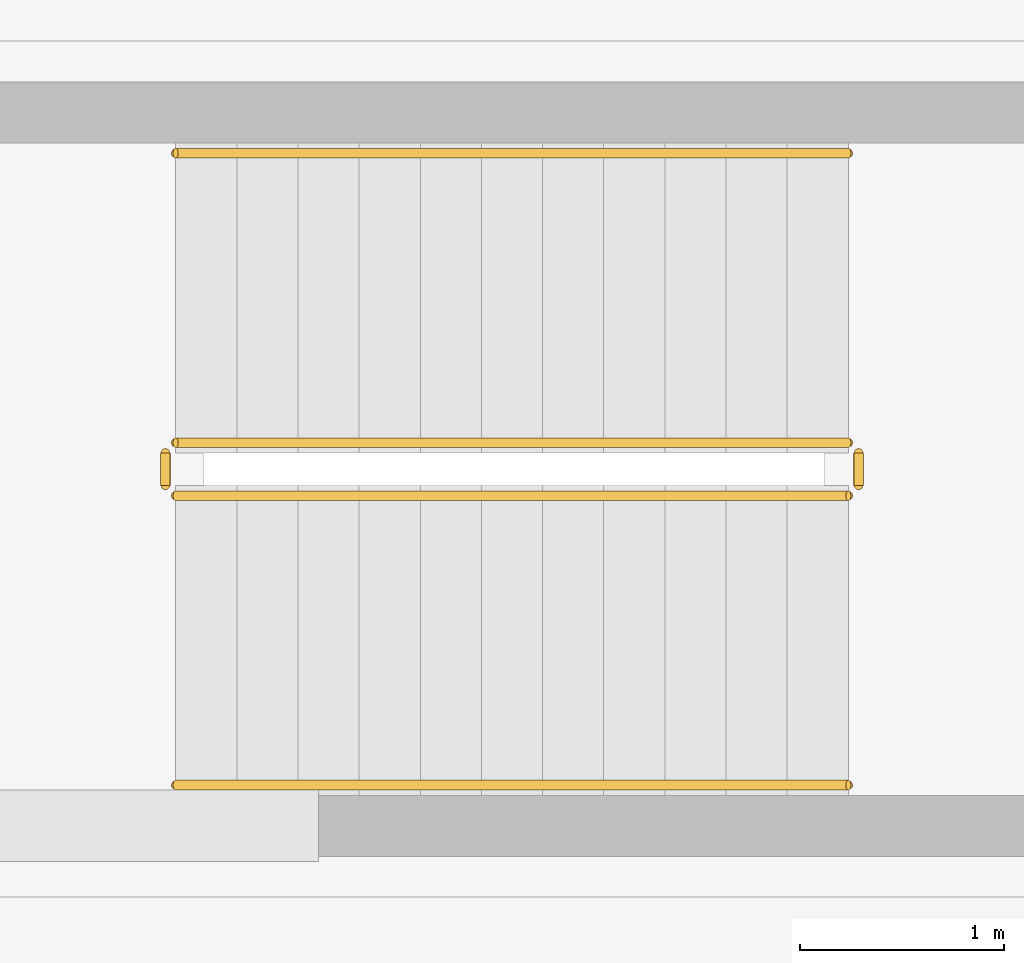
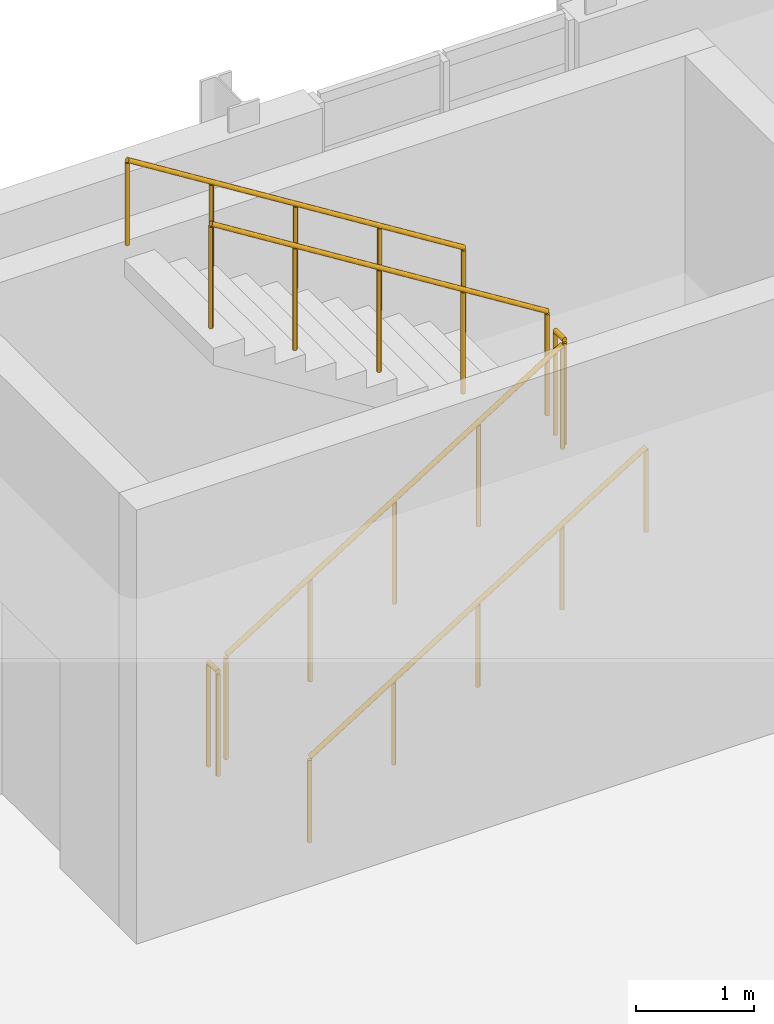
# One storey, part 92 of 100: 6 railings.
"""IFC4 building model written with IfcOpenShell, lengths in metres."""

from ifc_helpers import new_model, si_unit, direction, frame, origin, origin_2d, place, context, subcontext, project, spatial, circle, extrude, material, type_object, element, save


model = new_model("IFC4")

# Units and contexts
model_context = context("Model", 3, precision=1e-05, world=origin(), true_north=direction((0.0, 1.0)))
body_context = subcontext(model_context, "Body", "Model", "MODEL_VIEW")
ifc_project = project(units=[si_unit("LENGTHUNIT", "METRE"), si_unit("AREAUNIT", "SQUARE_METRE"), si_unit("VOLUMEUNIT", "CUBIC_METRE"), si_unit("PLANEANGLEUNIT", "RADIAN"), si_unit("MASSUNIT", "GRAM", prefix="KILO")], contexts=[model_context])

# Site, building, storey
site_placement = place(None, origin())
site = spatial("IfcSite", under=ifc_project, at=site_placement, CompositionType="ELEMENT")
building_placement = place(site_placement, origin())
building = spatial("IfcBuilding", under=site, at=building_placement, Name="Cymarion Research Institute", CompositionType="ELEMENT")
storey_placement = place(building_placement, frame((0.0, 0.0, 9.300048828125)))
storey = spatial("IfcBuildingStorey", under=building, at=storey_placement, Name="L02", CompositionType="ELEMENT", Elevation=9.300048828125)

# Railings
ifc_material = material(Name="Steel S355", Category="steel")
railing_type_1 = type_object("IfcRailingType", Name="PAINTED STEEL STAIR GUARDRAIL GR1 1100MM", PredefinedType="GUARDRAIL", material=ifc_material)
railing_1_placement = place(storey_placement, frame((89.199951171875, 38.27001953125, 0.1875)))
element("IfcRailing", 1, at=railing_1_placement, inside=storey, type_object=railing_type_1, Name="L02 ST4 stair guard 1", PredefinedType="GUARDRAIL", context=body_context, shape_type="SweptSolid", body=[
    extrude(circle(Radius=0.02392578125, at=origin_2d()), frame((0.0, 0.0, 1.076171875), z_axis=(0.848001828478, 0.0, 0.529993300805), x_axis=(0.0, 1.0, 0.0)), (0.0, 0.0, 1.0), 3.8916015625),
    extrude(circle(Radius=0.02099609375, at=origin_2d()), origin(), (0.0, 0.0, 1.0), 1.052001953125),
    extrude(circle(Radius=0.02099609375, at=origin_2d()), frame((0.824951171875, 0.0, 0.515625)), (0.0, 0.0, 1.0), 1.052001953125),
    extrude(circle(Radius=0.02099609375, at=origin_2d()), frame((1.64990234375, 0.0, 1.03125)), (0.0, 0.0, 1.0), 1.052001953125),
    extrude(circle(Radius=0.02099609375, at=origin_2d()), frame((2.47509765625, 0.0, 1.546875)), (0.0, 0.0, 1.0), 1.052001953125),
    extrude(circle(Radius=0.02099609375, at=origin_2d()), frame((3.300048828125, 0.0, 2.0625)), (0.0, 0.0, 1.0), 1.052001953125),
])
railing_2_placement = place(storey_placement, frame((92.550048828125, 38.320068359375, 2.25)))
element("IfcRailing", 2, at=railing_2_placement, inside=storey, type_object=railing_type_1, Name="L02 ST4 stair guard 2", PredefinedType="GUARDRAIL", context=body_context, shape_type="SweptSolid", body=[
    extrude(circle(Radius=0.02392578125, at=origin_2d()), frame((0.0, 0.0, 1.076171875), z_axis=(0.0, 1.0, 0.0), x_axis=(-1.0, 0.0, 0.0)), (0.0, 0.0, 1.0), 0.159912109375),
    extrude(circle(Radius=0.02099609375, at=origin_2d()), origin(), (0.0, 0.0, 1.0), 1.052001953125),
    extrude(circle(Radius=0.02099609375, at=origin_2d()), frame((0.0, 0.159912109375, 0.0)), (0.0, 0.0, 1.0), 1.052001953125),
])
railing_3_placement = place(storey_placement, frame((92.5, 38.530029296875, 2.4375)))
element("IfcRailing", 3, at=railing_3_placement, inside=storey, type_object=railing_type_1, Name="L02 ST4 stair guard 3", PredefinedType="GUARDRAIL", context=body_context, shape_type="SweptSolid", body=[
    extrude(circle(Radius=0.02392578125, at=origin_2d()), frame((0.0, 0.0, 1.076171875), z_axis=(-0.848001828478, 0.0, 0.529993300805), x_axis=(0.0, -1.0, 0.0)), (0.0, 0.0, 1.0), 3.8916015625),
    extrude(circle(Radius=0.02099609375, at=origin_2d()), origin(), (0.0, 0.0, 1.0), 1.052001953125),
    extrude(circle(Radius=0.02099609375, at=origin_2d()), frame((-0.824951171875, 0.0, 0.515625)), (0.0, 0.0, 1.0), 1.052001953125),
    extrude(circle(Radius=0.02099609375, at=origin_2d()), frame((-1.64990234375, 0.0, 1.03125)), (0.0, 0.0, 1.0), 1.052001953125),
    extrude(circle(Radius=0.02099609375, at=origin_2d()), frame((-2.47509765625, 0.0, 1.546875)), (0.0, 0.0, 1.0), 1.052001953125),
    extrude(circle(Radius=0.02099609375, at=origin_2d()), frame((-3.300048828125, 0.0, 2.0625)), (0.0, 0.0, 1.0), 1.052001953125),
])
railing_4_placement = place(storey_placement, frame((89.14990234375, 38.320068359375, 0.0)))
element("IfcRailing", 4, at=railing_4_placement, inside=storey, type_object=railing_type_1, Name="L02 ST4 stair guard 4", PredefinedType="GUARDRAIL", context=body_context, shape_type="SweptSolid", body=[
    extrude(circle(Radius=0.02392578125, at=origin_2d()), frame((0.0, 0.0, 1.076171875), z_axis=(0.0, 1.0, 0.0), x_axis=(-1.0, 0.0, 0.0)), (0.0, 0.0, 1.0), 0.159912109375),
    extrude(circle(Radius=0.02099609375, at=origin_2d()), origin(), (0.0, 0.0, 1.0), 1.052001953125),
    extrude(circle(Radius=0.02099609375, at=origin_2d()), frame((0.0, 0.159912109375, 0.0)), (0.0, 0.0, 1.0), 1.052001953125),
])
railing_type_2 = type_object("IfcRailingType", Name="STAINLESS STEEL STAIR HANDRAIL HR1 900MM", PredefinedType="HANDRAIL", material=ifc_material)
railing_5_placement = place(storey_placement, frame((89.199951171875, 36.85009765625, 0.1875)))
element("IfcRailing", 5, at=railing_5_placement, inside=storey, type_object=railing_type_2, Name="L02 ST4 stair handrail 1", PredefinedType="HANDRAIL", context=body_context, shape_type="SweptSolid", body=[
    extrude(circle(Radius=0.02392578125, at=origin_2d()), frame((0.0, 0.0, 0.8759765625), z_axis=(0.848001828478, 0.0, 0.529993300805), x_axis=(0.0, 1.0, 0.0)), (0.0, 0.0, 1.0), 3.8916015625),
    extrude(circle(Radius=0.02099609375, at=origin_2d()), origin(), (0.0, 0.0, 1.0), 0.851806640625),
    extrude(circle(Radius=0.02099609375, at=origin_2d()), frame((0.824951171875, 0.0, 0.515625)), (0.0, 0.0, 1.0), 0.851806640625),
    extrude(circle(Radius=0.02099609375, at=origin_2d()), frame((1.64990234375, 0.0, 1.03125)), (0.0, 0.0, 1.0), 0.851806640625),
    extrude(circle(Radius=0.02099609375, at=origin_2d()), frame((2.47509765625, 0.0, 1.546875)), (0.0, 0.0, 1.0), 0.851806640625),
    extrude(circle(Radius=0.02099609375, at=origin_2d()), frame((3.300048828125, 0.0, 2.0625)), (0.0, 0.0, 1.0), 0.851806640625),
])
railing_6_placement = place(storey_placement, frame((92.5, 39.949951171875, 2.4375)))
element("IfcRailing", 6, at=railing_6_placement, inside=storey, type_object=railing_type_2, Name="L02 ST4 stair handrail 2", PredefinedType="HANDRAIL", context=body_context, shape_type="SweptSolid", body=[
    extrude(circle(Radius=0.02392578125, at=origin_2d()), frame((0.0, 0.0, 0.8759765625), z_axis=(-0.848001828478, 0.0, 0.529993300805), x_axis=(0.0, -1.0, 0.0)), (0.0, 0.0, 1.0), 3.8916015625),
    extrude(circle(Radius=0.02099609375, at=origin_2d()), origin(), (0.0, 0.0, 1.0), 0.851806640625),
    extrude(circle(Radius=0.02099609375, at=origin_2d()), frame((-0.824951171875, 0.0, 0.515625)), (0.0, 0.0, 1.0), 0.851806640625),
    extrude(circle(Radius=0.02099609375, at=origin_2d()), frame((-1.64990234375, 0.0, 1.03125)), (0.0, 0.0, 1.0), 0.851806640625),
    extrude(circle(Radius=0.02099609375, at=origin_2d()), frame((-2.47509765625, 0.0, 1.546875)), (0.0, 0.0, 1.0), 0.851806640625),
    extrude(circle(Radius=0.02099609375, at=origin_2d()), frame((-3.300048828125, 0.0, 2.0625)), (0.0, 0.0, 1.0), 0.851806640625),
])

save(model, "model.ifc")
